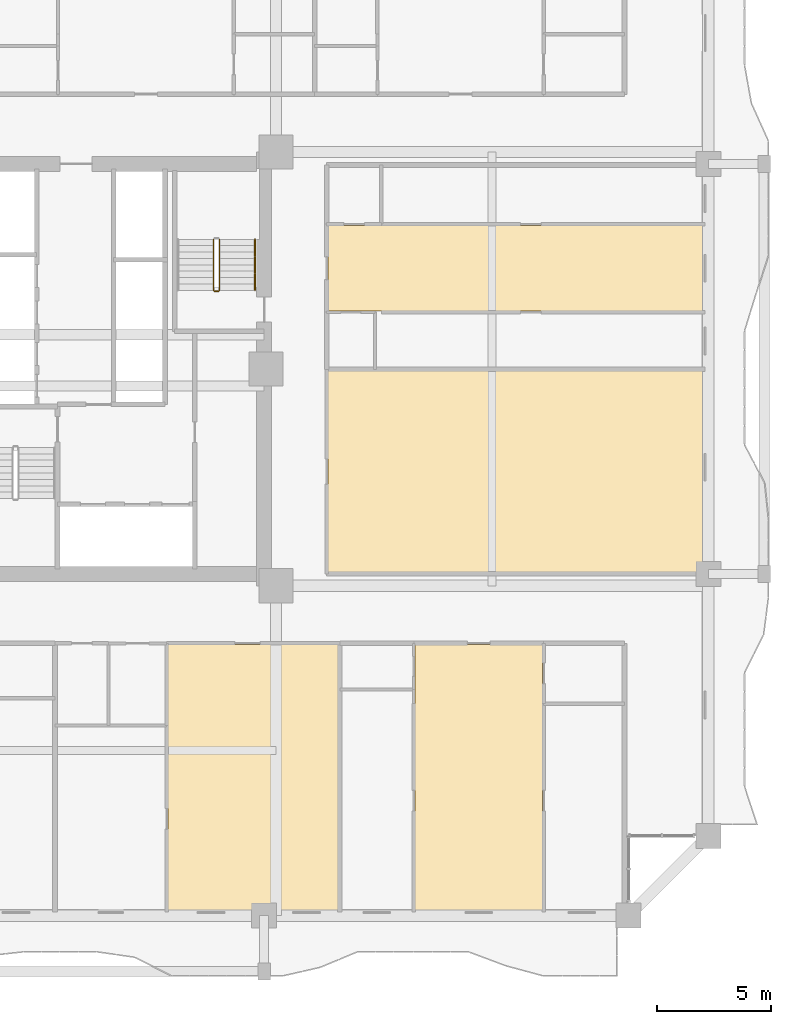
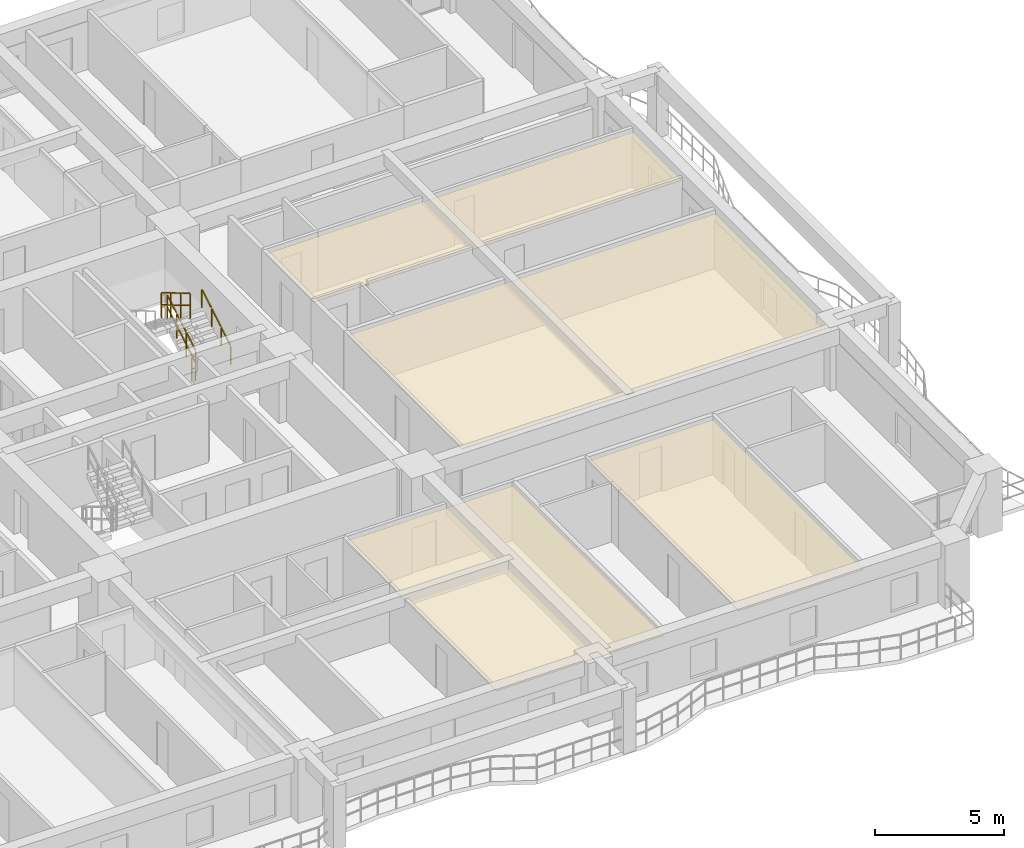
# One storey, part 25 of 27: 4 coverings, 4 railings.
"""IFC4 building model written with IfcOpenShell, lengths in metres."""

from ifc_helpers import new_model, si_unit, direction, frame, origin, origin_2d, place, context, subcontext, project, spatial, polyline, rectangle, outline, extrude, material, layer, layer_set, type_object, element, save


model = new_model("IFC4")

# Units and contexts
model_context = context("Model", 3, precision=1e-05, world=origin(), true_north=direction((0.0, 1.0)))
body_context = subcontext(model_context, "Body", "Model", "MODEL_VIEW")
ifc_project = project(units=[si_unit("LENGTHUNIT", "METRE"), si_unit("AREAUNIT", "SQUARE_METRE"), si_unit("VOLUMEUNIT", "CUBIC_METRE"), si_unit("PLANEANGLEUNIT", "RADIAN"), si_unit("MASSUNIT", "GRAM", prefix="KILO")], contexts=[model_context])

# Site, building, storey
site_placement = place(None, origin())
site = spatial("IfcSite", under=ifc_project, at=site_placement, CompositionType="ELEMENT")
building_placement = place(site_placement, origin())
building = spatial("IfcBuilding", under=site, at=building_placement, Name="Saelheon Loggia Tower", CompositionType="ELEMENT")
storey_placement = place(building_placement, frame((0.0, 0.0, 52.39990234375)))
storey = spatial("IfcBuildingStorey", under=building, at=storey_placement, Name="L16", CompositionType="ELEMENT", Elevation=52.39990234375)

# Coverings
ifc_material_1 = material(Name="Mineral-Fibre Acoustic Ceiling Board", Category="gypsum")
ifc_layer = layer(ifc_material_1, 0.02490234375)
ifc_layer_set = layer_set([ifc_layer], Name="Mineral-Fibre Acoustic Ceiling Board")
covering_type = type_object("IfcCoveringType", Name="Cov_Ceiling_Acoustic", PredefinedType="CEILING", material=ifc_layer_set)
covering_1_placement = place(storey_placement, frame((0.0, 0.0, 2.53515625)))
element("IfcCovering", 1, at=covering_1_placement, inside=storey, type_object=covering_type, Name="L16 Acoustic Suspended Ceiling", PredefinedType="CEILING", context=body_context, shape_type="SweptSolid", body=[
    extrude(outline(polyline([(40.271484375, 3.199951171875), (47.770751953125, 3.199951171875), (47.770751953125, 14.89990234375), (40.271484375, 14.89990234375), (40.271484375, 3.199951171875)])), origin(), (0.0, 0.0, 1.0), 0.02490234375),
])
covering_2_placement = place(storey_placement, frame((0.0, 0.0, 2.53515625)))
element("IfcCovering", 2, at=covering_2_placement, inside=storey, type_object=covering_type, Name="L16 Acoustic Suspended Ceiling", PredefinedType="CEILING", context=body_context, shape_type="SweptSolid", body=[
    extrude(outline(polyline([(51.12060546875, 3.199951171875), (56.721923828125, 3.199951171875), (56.721923828125, 14.89990234375), (51.12060546875, 14.89990234375), (51.12060546875, 3.199951171875)])), origin(), (0.0, 0.0, 1.0), 0.02490234375),
])
covering_3_placement = place(storey_placement, frame((0.0, 0.0, 2.53515625)))
element("IfcCovering", 3, at=covering_3_placement, inside=storey, type_object=covering_type, Name="L16 Acoustic Suspended Ceiling", PredefinedType="CEILING", context=body_context, shape_type="SweptSolid", body=[
    extrude(outline(polyline([(47.300048828125, 18.050048828125), (63.800048828125, 18.050048828125), (63.800048828125, 26.925048828125), (47.300048828125, 26.925048828125), (47.300048828125, 18.050048828125)])), origin(), (0.0, 0.0, 1.0), 0.02490234375),
])
covering_4_placement = place(storey_placement, frame((0.0, 0.0, 2.53515625)))
element("IfcCovering", 4, at=covering_4_placement, inside=storey, type_object=covering_type, Name="L16 Acoustic Suspended Ceiling", PredefinedType="CEILING", context=body_context, shape_type="SweptSolid", body=[
    extrude(outline(polyline([(47.300048828125, 29.5380859375), (63.800048828125, 29.5380859375), (63.800048828125, 33.300048828125), (47.300048828125, 33.300048828125), (47.300048828125, 29.5380859375)])), origin(), (0.0, 0.0, 1.0), 0.02490234375),
])

# Railings
ifc_material_2 = material(Name="Galvanised Steel S275 Stairwell Guardrail", Category="steel")
railing_type_1 = type_object("IfcRailingType", Name="Guard_StairWell_RL_STG", PredefinedType="GUARDRAIL", material=ifc_material_2)
railing_1_placement = place(storey_placement, frame((42.5400390625, 30.449951171875, 0.166748046875)))
element("IfcRailing", 5, at=railing_1_placement, inside=storey, type_object=railing_type_1, Name="L16 ST2 stair guard 1", PredefinedType="GUARDRAIL", context=body_context, shape_type="SweptSolid", body=[
    extrude(rectangle(XDim=0.048095703125, YDim=0.048095703125, at=origin_2d()), frame((0.0, 0.028564453125, 1.19287109375), z_axis=(0.0, 0.859305625298, 0.511462454469), x_axis=(-1.0, 0.0, 0.0)), (0.0, 0.0, 1.0), 0.802490234375),
    extrude(rectangle(XDim=0.048095703125, YDim=0.048095703125, at=origin_2d()), frame((0.0, 0.028564453125, 0.616943359375), z_axis=(0.0, 0.859305625298, 0.511462454469), x_axis=(-1.0, 0.0, 0.0)), (0.0, 0.0, 1.0), 0.802490234375),
    extrude(rectangle(XDim=0.048095703125, YDim=0.048095703125, at=origin_2d()), frame((0.0, 0.775146484375, 1.63720703125), z_axis=(0.0, 0.859305625298, 0.511462454469), x_axis=(-1.0, 0.0, 0.0)), (0.0, 0.0, 1.0), 0.802490234375),
    extrude(rectangle(XDim=0.048095703125, YDim=0.048095703125, at=origin_2d()), frame((0.0, 0.775146484375, 1.061279296875), z_axis=(0.0, 0.859305625298, 0.511462454469), x_axis=(-1.0, 0.0, 0.0)), (0.0, 0.0, 1.0), 0.802490234375),
    extrude(rectangle(XDim=0.048095703125, YDim=0.048095703125, at=origin_2d()), frame((0.0, 1.52197265625, 2.081787109375), z_axis=(0.0, 0.859305625298, 0.511462454469), x_axis=(-1.0, 0.0, 0.0)), (0.0, 0.0, 1.0), 0.802490234375),
    extrude(rectangle(XDim=0.048095703125, YDim=0.048095703125, at=origin_2d()), frame((0.0, 1.52197265625, 1.505859375), z_axis=(0.0, 0.859305625298, 0.511462454469), x_axis=(-1.0, 0.0, 0.0)), (0.0, 0.0, 1.0), 0.802490234375),
    extrude(rectangle(XDim=0.0419921875, YDim=0.0419921875, at=origin_2d()), origin(), (0.0, 0.0, 1.0), 1.14794921875),
    extrude(rectangle(XDim=0.0419921875, YDim=0.0419921875, at=origin_2d()), frame((0.0, 0.74658203125, 0.4443359375)), (0.0, 0.0, 1.0), 1.14794921875),
    extrude(rectangle(XDim=0.0419921875, YDim=0.0419921875, at=origin_2d()), frame((0.0, 1.493408203125, 0.888916015625)), (0.0, 0.0, 1.0), 1.14794921875),
    extrude(rectangle(XDim=0.0419921875, YDim=0.0419921875, at=origin_2d()), frame((0.0, 2.239990234375, 1.333251953125)), (0.0, 0.0, 1.0), 1.14794921875),
])
railing_2_placement = place(storey_placement, frame((42.280029296875, 32.68994140625, 1.666748046875)))
element("IfcRailing", 6, at=railing_2_placement, inside=storey, type_object=railing_type_1, Name="L16 ST2 stair guard 3", PredefinedType="GUARDRAIL", context=body_context, shape_type="SweptSolid", body=[
    extrude(rectangle(XDim=0.048095703125, YDim=0.048095703125, at=origin_2d()), frame((0.0, -0.028564453125, 1.19287109375), z_axis=(0.0, -0.859305625298, 0.511462454469), x_axis=(1.0, 0.0, 0.0)), (0.0, 0.0, 1.0), 0.802490234375),
    extrude(rectangle(XDim=0.048095703125, YDim=0.048095703125, at=origin_2d()), frame((0.0, -0.028564453125, 0.616943359375), z_axis=(0.0, -0.859305625298, 0.511462454469), x_axis=(1.0, 0.0, 0.0)), (0.0, 0.0, 1.0), 0.802490234375),
    extrude(rectangle(XDim=0.048095703125, YDim=0.048095703125, at=origin_2d()), frame((0.0, -0.775146484375, 1.63720703125), z_axis=(0.0, -0.859305625298, 0.511462454469), x_axis=(1.0, 0.0, 0.0)), (0.0, 0.0, 1.0), 0.802490234375),
    extrude(rectangle(XDim=0.048095703125, YDim=0.048095703125, at=origin_2d()), frame((0.0, -0.775146484375, 1.061279296875), z_axis=(0.0, -0.859305625298, 0.511462454469), x_axis=(1.0, 0.0, 0.0)), (0.0, 0.0, 1.0), 0.802490234375),
    extrude(rectangle(XDim=0.048095703125, YDim=0.048095703125, at=origin_2d()), frame((0.0, -1.52197265625, 2.081787109375), z_axis=(0.0, -0.859305625298, 0.511462454469), x_axis=(1.0, 0.0, 0.0)), (0.0, 0.0, 1.0), 0.802490234375),
    extrude(rectangle(XDim=0.048095703125, YDim=0.048095703125, at=origin_2d()), frame((0.0, -1.52197265625, 1.505859375), z_axis=(0.0, -0.859305625298, 0.511462454469), x_axis=(1.0, 0.0, 0.0)), (0.0, 0.0, 1.0), 0.802490234375),
    extrude(rectangle(XDim=0.0419921875, YDim=0.0419921875, at=origin_2d()), origin(), (0.0, 0.0, 1.0), 1.14794921875),
    extrude(rectangle(XDim=0.0419921875, YDim=0.0419921875, at=origin_2d()), frame((0.0, -0.74658203125, 0.4443359375)), (0.0, 0.0, 1.0), 1.14794921875),
    extrude(rectangle(XDim=0.0419921875, YDim=0.0419921875, at=origin_2d()), frame((0.0, -1.493408203125, 0.888916015625)), (0.0, 0.0, 1.0), 1.14794921875),
    extrude(rectangle(XDim=0.0419921875, YDim=0.0419921875, at=origin_2d()), frame((0.0, -2.239990234375, 1.333251953125)), (0.0, 0.0, 1.0), 1.14794921875),
])
railing_3_placement = place(storey_placement, frame((42.489990234375, 30.39990234375, 0.0)))
element("IfcRailing", 7, at=railing_3_placement, inside=storey, type_object=railing_type_1, Name="L16 ST2 stair guard 4", PredefinedType="GUARDRAIL", context=body_context, shape_type="SweptSolid", body=[
    extrude(rectangle(XDim=0.048095703125, YDim=0.048095703125, at=origin_2d()), frame((-0.033203125, 0.0, 1.17578125), z_axis=(-1.0, 0.0, 0.0), x_axis=(0.0, -1.0, 0.0)), (0.0, 0.0, 1.0), 0.093505859375),
    extrude(rectangle(XDim=0.048095703125, YDim=0.048095703125, at=origin_2d()), frame((-0.033203125, 0.0, 0.60009765625), z_axis=(-1.0, 0.0, 0.0), x_axis=(0.0, -1.0, 0.0)), (0.0, 0.0, 1.0), 0.093505859375),
    extrude(rectangle(XDim=0.0419921875, YDim=0.0419921875, at=origin_2d()), origin(), (0.0, 0.0, 1.0), 1.14794921875),
    extrude(rectangle(XDim=0.0419921875, YDim=0.0419921875, at=origin_2d()), frame((-0.159912109375, 0.0, 0.0)), (0.0, 0.0, 1.0), 1.14794921875),
])
ifc_material_3 = material(Name="Stainless Steel 304 Tubular Handrail", Category="steel")
railing_type_2 = type_object("IfcRailingType", Name="Handrail_Stair_RL_HR1", PredefinedType="HANDRAIL", material=ifc_material_3)
railing_4_placement = place(storey_placement, frame((44.10009765625, 30.449951171875, 0.166748046875)))
element("IfcRailing", 8, at=railing_4_placement, inside=storey, type_object=railing_type_2, Name="L16 ST2 stair handrail 1", PredefinedType="HANDRAIL", context=body_context, shape_type="SweptSolid", body=[
    extrude(rectangle(XDim=0.048095703125, YDim=0.048095703125, at=origin_2d()), frame((0.0, 0.028564453125, 0.892822265625), z_axis=(0.0, 0.859305625298, 0.511462454469), x_axis=(-1.0, 0.0, 0.0)), (0.0, 0.0, 1.0), 0.802490234375),
    extrude(rectangle(XDim=0.048095703125, YDim=0.048095703125, at=origin_2d()), frame((0.0, 0.775146484375, 1.337158203125), z_axis=(0.0, 0.859305625298, 0.511462454469), x_axis=(-1.0, 0.0, 0.0)), (0.0, 0.0, 1.0), 0.802490234375),
    extrude(rectangle(XDim=0.048095703125, YDim=0.048095703125, at=origin_2d()), frame((0.0, 1.52197265625, 1.78173828125), z_axis=(0.0, 0.859305625298, 0.511462454469), x_axis=(-1.0, 0.0, 0.0)), (0.0, 0.0, 1.0), 0.802490234375),
    extrude(rectangle(XDim=0.0419921875, YDim=0.0419921875, at=origin_2d()), origin(), (0.0, 0.0, 1.0), 0.847900390625),
    extrude(rectangle(XDim=0.0419921875, YDim=0.0419921875, at=origin_2d()), frame((0.0, 0.74658203125, 0.4443359375)), (0.0, 0.0, 1.0), 0.847900390625),
    extrude(rectangle(XDim=0.0419921875, YDim=0.0419921875, at=origin_2d()), frame((0.0, 1.493408203125, 0.888916015625)), (0.0, 0.0, 1.0), 0.847900390625),
    extrude(rectangle(XDim=0.0419921875, YDim=0.0419921875, at=origin_2d()), frame((0.0, 2.239990234375, 1.333251953125)), (0.0, 0.0, 1.0), 0.847900390625),
])

save(model, "model.ifc")
